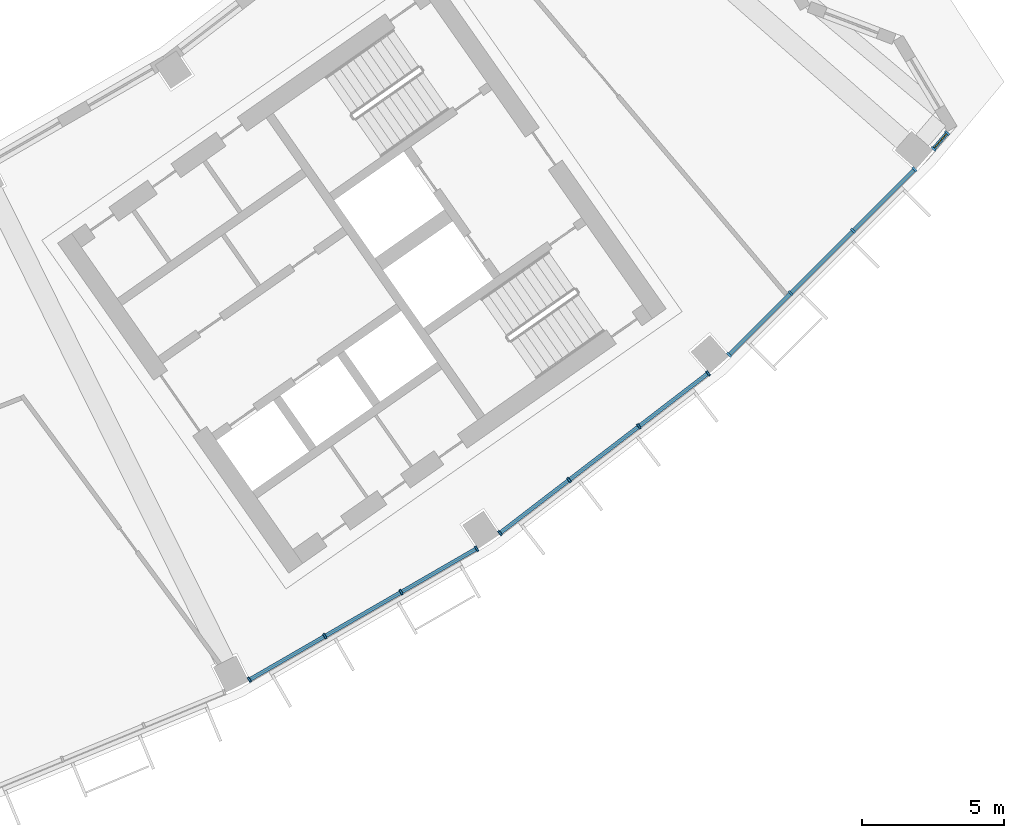
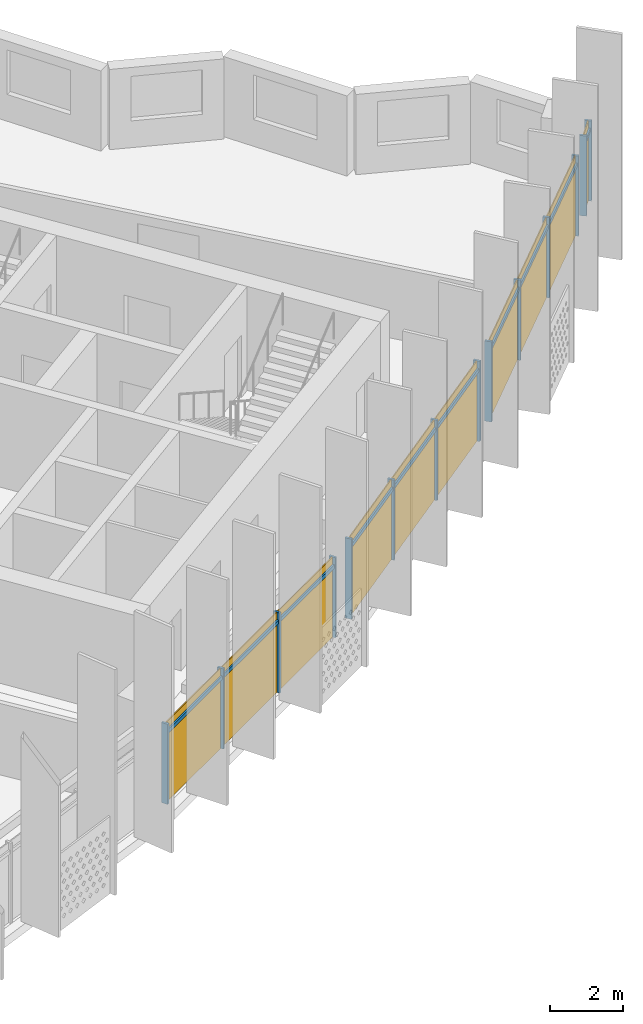
# One storey, part 20 of 29: 24 members, 4 curtain walls.
"""IFC4 building model written with IfcOpenShell, lengths in metres."""

from ifc_helpers import new_model, si_unit, direction, frame, origin, origin_2d, place, context, subcontext, project, spatial, rectangle, extrude, material, material_profile, profile_set, type_object, element, aggregate, save


model = new_model("IFC4")

# Units and contexts
model_context = context("Model", 3, precision=1e-05, world=origin(), true_north=direction((0.0, 1.0)))
body_context = subcontext(model_context, "Body", "Model", "MODEL_VIEW")
ifc_project = project(units=[si_unit("LENGTHUNIT", "METRE"), si_unit("AREAUNIT", "SQUARE_METRE"), si_unit("VOLUMEUNIT", "CUBIC_METRE"), si_unit("PLANEANGLEUNIT", "RADIAN"), si_unit("MASSUNIT", "GRAM", prefix="KILO")], contexts=[model_context])

# Member
ifc_material = material(Name="Aluminium 6063-T6 anodised", Category="aluminium")
ifc_material_profile_1 = material_profile(ifc_material, rectangle(XDim=0.199951171875, YDim=0.070068359375, at=origin_2d()))
ifc_profile_set_1 = profile_set([ifc_material_profile_1], Name="Aluminium 6063-T6 anodised")
member_type_1 = type_object("IfcMemberType", Name="Mullion 70 x 200 aluminium", PredefinedType="MULLION", material=ifc_profile_set_1)
site_placement = place(None, origin())
building_placement = place(site_placement, origin())
storey_placement = place(building_placement, frame((0.0, 0.0, 258.10009765625)))
member_1_placement = place(storey_placement, frame((35.036376953125, -69.933349609375, 0.0), z_axis=(0.0, 0.0, 1.0), x_axis=(-0.5, 0.866025403784, 0.0)))
member_1 = element("IfcMember", 1, at=member_1_placement, type_object=member_type_1, Name="e-cw1-L62-out11/M00", PredefinedType="MULLION", context=body_context, shape_type="SweptSolid", body=[
    extrude(rectangle(XDim=0.199951171875, YDim=0.070068359375, at=origin_2d()), origin(), (0.0, 0.0, 1.0), 2.699951171875),
])

member_2_placement = place(storey_placement, frame((37.696044921875, -68.397705078125, 0.0), z_axis=(0.0, 0.0, 1.0), x_axis=(-0.5, 0.866025403784, 0.0)))
member_2 = element("IfcMember", 2, at=member_2_placement, type_object=member_type_1, Name="e-cw1-L62-out11/M01", PredefinedType="MULLION", context=body_context, shape_type="SweptSolid", body=[
    extrude(rectangle(XDim=0.199951171875, YDim=0.070068359375, at=origin_2d()), origin(), (0.0, 0.0, 1.0), 2.699951171875),
])

member_3_placement = place(storey_placement, frame((40.38623046875, -66.8447265625, 0.0), z_axis=(0.0, 0.0, 1.0), x_axis=(-0.5, 0.866025403784, 0.0)))
member_3 = element("IfcMember", 3, at=member_3_placement, type_object=member_type_1, Name="e-cw1-L62-out11/M02", PredefinedType="MULLION", context=body_context, shape_type="SweptSolid", body=[
    extrude(rectangle(XDim=0.199951171875, YDim=0.070068359375, at=origin_2d()), origin(), (0.0, 0.0, 1.0), 2.699951171875),
])

member_4_placement = place(storey_placement, frame((43.0458984375, -65.30908203125, 0.0), z_axis=(0.0, 0.0, 1.0), x_axis=(-0.5, 0.866025403784, 0.0)))
member_4 = element("IfcMember", 4, at=member_4_placement, type_object=member_type_1, Name="e-cw1-L62-out11/M03", PredefinedType="MULLION", context=body_context, shape_type="SweptSolid", body=[
    extrude(rectangle(XDim=0.199951171875, YDim=0.070068359375, at=origin_2d()), origin(), (0.0, 0.0, 1.0), 2.699951171875),
])

member_5_placement = place(storey_placement, frame((43.86474609375, -64.761962890625, 0.0), z_axis=(0.0, 0.0, 1.0), x_axis=(-0.608761429009, 0.793353340291, 0.0)))
member_5 = element("IfcMember", 5, at=member_5_placement, type_object=member_type_1, Name="e-cw1-L62-out12/M00", PredefinedType="MULLION", context=body_context, shape_type="SweptSolid", body=[
    extrude(rectangle(XDim=0.199951171875, YDim=0.070068359375, at=origin_2d()), origin(), (0.0, 0.0, 1.0), 2.699951171875),
])

member_6_placement = place(storey_placement, frame((46.30126953125, -62.892333984375, 0.0), z_axis=(0.0, 0.0, 1.0), x_axis=(-0.608761429009, 0.793353340291, 0.0)))
member_6 = element("IfcMember", 6, at=member_6_placement, type_object=member_type_1, Name="e-cw1-L62-out12/M01", PredefinedType="MULLION", context=body_context, shape_type="SweptSolid", body=[
    extrude(rectangle(XDim=0.199951171875, YDim=0.070068359375, at=origin_2d()), origin(), (0.0, 0.0, 1.0), 2.699951171875),
])

member_7_placement = place(storey_placement, frame((48.765625, -61.001220703125, 0.0), z_axis=(0.0, 0.0, 1.0), x_axis=(-0.608761429009, 0.793353340291, 0.0)))
member_7 = element("IfcMember", 7, at=member_7_placement, type_object=member_type_1, Name="e-cw1-L62-out12/M02", PredefinedType="MULLION", context=body_context, shape_type="SweptSolid", body=[
    extrude(rectangle(XDim=0.199951171875, YDim=0.070068359375, at=origin_2d()), origin(), (0.0, 0.0, 1.0), 2.699951171875),
])

member_8_placement = place(storey_placement, frame((51.2021484375, -59.131591796875, 0.0), z_axis=(0.0, 0.0, 1.0), x_axis=(-0.608761429009, 0.793353340291, 0.0)))
member_8 = element("IfcMember", 8, at=member_8_placement, type_object=member_type_1, Name="e-cw1-L62-out12/M03", PredefinedType="MULLION", context=body_context, shape_type="SweptSolid", body=[
    extrude(rectangle(XDim=0.199951171875, YDim=0.070068359375, at=origin_2d()), origin(), (0.0, 0.0, 1.0), 2.699951171875),
])

member_9_placement = place(storey_placement, frame((51.942626953125, -58.482421875, 0.0), z_axis=(0.0, 0.0, 1.0), x_axis=(-0.707106781187, 0.707106781187, 0.0)))
member_9 = element("IfcMember", 9, at=member_9_placement, type_object=member_type_1, Name="e-cw1-L62-out13/M00", PredefinedType="MULLION", context=body_context, shape_type="SweptSolid", body=[
    extrude(rectangle(XDim=0.199951171875, YDim=0.070068359375, at=origin_2d()), origin(), (0.0, 0.0, 1.0), 2.699951171875),
])

member_10_placement = place(storey_placement, frame((54.1142578125, -56.310791015625, 0.0), z_axis=(0.0, 0.0, 1.0), x_axis=(-0.707106781187, 0.707106781187, 0.0)))
member_10 = element("IfcMember", 10, at=member_10_placement, type_object=member_type_1, Name="e-cw1-L62-out13/M01", PredefinedType="MULLION", context=body_context, shape_type="SweptSolid", body=[
    extrude(rectangle(XDim=0.199951171875, YDim=0.070068359375, at=origin_2d()), origin(), (0.0, 0.0, 1.0), 2.699951171875),
])

member_11_placement = place(storey_placement, frame((56.310791015625, -54.1142578125, 0.0), z_axis=(0.0, 0.0, 1.0), x_axis=(-0.707106781187, 0.707106781187, 0.0)))
member_11 = element("IfcMember", 11, at=member_11_placement, type_object=member_type_1, Name="e-cw1-L62-out13/M02", PredefinedType="MULLION", context=body_context, shape_type="SweptSolid", body=[
    extrude(rectangle(XDim=0.199951171875, YDim=0.070068359375, at=origin_2d()), origin(), (0.0, 0.0, 1.0), 2.699951171875),
])

member_12_placement = place(storey_placement, frame((58.482421875, -51.942626953125, 0.0), z_axis=(0.0, 0.0, 1.0), x_axis=(-0.707106781187, 0.707106781187, 0.0)))
member_12 = element("IfcMember", 12, at=member_12_placement, type_object=member_type_1, Name="e-cw1-L62-out13/M03", PredefinedType="MULLION", context=body_context, shape_type="SweptSolid", body=[
    extrude(rectangle(XDim=0.199951171875, YDim=0.070068359375, at=origin_2d()), origin(), (0.0, 0.0, 1.0), 2.699951171875),
])

member_13_placement = place(storey_placement, frame((59.14990234375, -51.222900390625, 0.0), z_axis=(0.0, 0.0, 1.0), x_axis=(-0.758703110659, 0.651436558597, 0.0)))
member_13 = element("IfcMember", 13, at=member_13_placement, type_object=member_type_1, Name="e-cw1-L62-out14/M00", PredefinedType="MULLION", context=body_context, shape_type="SweptSolid", body=[
    extrude(rectangle(XDim=0.199951171875, YDim=0.070068359375, at=origin_2d()), origin(), (0.0, 0.0, 1.0), 2.699951171875),
])

member_14_placement = place(storey_placement, frame((59.62939453125, -50.66455078125, 0.0), z_axis=(0.0, 0.0, 1.0), x_axis=(-0.758703110659, 0.651436558597, 0.0)))
member_14 = element("IfcMember", 14, at=member_14_placement, type_object=member_type_1, Name="e-cw1-L62-out14/M01", PredefinedType="MULLION", context=body_context, shape_type="SweptSolid", body=[
    extrude(rectangle(XDim=0.199951171875, YDim=0.070068359375, at=origin_2d()), origin(), (0.0, 0.0, 1.0), 2.699951171875),
])

ifc_material_profile_2 = material_profile(ifc_material, rectangle(XDim=0.139892578125, YDim=0.1201171875, at=origin_2d()))
ifc_profile_set_2 = profile_set([ifc_material_profile_2], Name="Aluminium 6063-T6 anodised")
member_type_2 = type_object("IfcMemberType", Name="Transom 120 x 140 aluminium", PredefinedType="USERDEFINED", material=ifc_profile_set_2)
member_15_placement = place(storey_placement, frame((35.066650390625, -69.915771484375, 2.39990234375), z_axis=(0.866041993159, 0.49997126526, 0.0), x_axis=(-0.49997126526, 0.866041993159, 0.0)))
member_15 = element("IfcMember", 15, at=member_15_placement, type_object=member_type_2, Name="e-cw1-L62-out11/T00", ObjectType="TRANSOM", PredefinedType="USERDEFINED", context=body_context, shape_type="SweptSolid", body=[
    extrude(rectangle(XDim=0.139892578125, YDim=0.1201171875, at=origin_2d()), origin(), (0.0, 0.0, 1.0), 3.001220703125),
])

member_16_placement = place(storey_placement, frame((37.726318359375, -68.38037109375, 2.39990234375), z_axis=(0.866012861315, 0.500021723565, 0.0), x_axis=(-0.500021723565, 0.866012861315, 0.0)))
member_16 = element("IfcMember", 16, at=member_16_placement, type_object=member_type_2, Name="e-cw1-L62-out11/T01", ObjectType="TRANSOM", PredefinedType="USERDEFINED", context=body_context, shape_type="SweptSolid", body=[
    extrude(rectangle(XDim=0.139892578125, YDim=0.1201171875, at=origin_2d()), origin(), (0.0, 0.0, 1.0), 3.036376953125),
])

member_17_placement = place(storey_placement, frame((40.41650390625, -66.8271484375, 2.39990234375), z_axis=(0.866041993159, 0.49997126526, 0.0), x_axis=(-0.49997126526, 0.866041993159, 0.0)))
member_17 = element("IfcMember", 17, at=member_17_placement, type_object=member_type_2, Name="e-cw1-L62-out11/T02", ObjectType="TRANSOM", PredefinedType="USERDEFINED", context=body_context, shape_type="SweptSolid", body=[
    extrude(rectangle(XDim=0.139892578125, YDim=0.1201171875, at=origin_2d()), origin(), (0.0, 0.0, 1.0), 3.001220703125),
])

member_18_placement = place(storey_placement, frame((43.892578125, -64.74072265625, 2.39990234375), z_axis=(0.793312980955, 0.60881402271, 0.0), x_axis=(-0.60881402271, 0.793312980955, 0.0)))
member_18 = element("IfcMember", 18, at=member_18_placement, type_object=member_type_2, Name="e-cw1-L62-out12/T00", ObjectType="TRANSOM", PredefinedType="USERDEFINED", context=body_context, shape_type="SweptSolid", body=[
    extrude(rectangle(XDim=0.139892578125, YDim=0.1201171875, at=origin_2d()), origin(), (0.0, 0.0, 1.0), 3.001220703125),
])

member_19_placement = place(storey_placement, frame((46.3291015625, -62.87109375, 2.39990234375), z_axis=(0.79333190513, 0.608789362836, 0.0), x_axis=(-0.608789362836, 0.79333190513, 0.0)))
member_19 = element("IfcMember", 19, at=member_19_placement, type_object=member_type_2, Name="e-cw1-L62-out12/T01", ObjectType="TRANSOM", PredefinedType="USERDEFINED", context=body_context, shape_type="SweptSolid", body=[
    extrude(rectangle(XDim=0.139892578125, YDim=0.1201171875, at=origin_2d()), origin(), (0.0, 0.0, 1.0), 3.0361328125),
])

member_20_placement = place(storey_placement, frame((48.79345703125, -60.97998046875, 2.39990234375), z_axis=(0.793352271072, 0.60876282244, 0.0), x_axis=(-0.60876282244, 0.793352271072, 0.0)))
member_20 = element("IfcMember", 20, at=member_20_placement, type_object=member_type_2, Name="e-cw1-L62-out12/T02", ObjectType="TRANSOM", PredefinedType="USERDEFINED", context=body_context, shape_type="SweptSolid", body=[
    extrude(rectangle(XDim=0.139892578125, YDim=0.1201171875, at=origin_2d()), origin(), (0.0, 0.0, 1.0), 3.0009765625),
])

member_21_placement = place(storey_placement, frame((51.96728515625, -58.45751953125, 2.39990234375), z_axis=(0.707147453401, 0.707066106633, 0.0), x_axis=(-0.707066106633, 0.707147453401, 0.0)))
member_21 = element("IfcMember", 21, at=member_21_placement, type_object=member_type_2, Name="e-cw1-L62-out13/T00", ObjectType="TRANSOM", PredefinedType="USERDEFINED", context=body_context, shape_type="SweptSolid", body=[
    extrude(rectangle(XDim=0.139892578125, YDim=0.1201171875, at=origin_2d()), origin(), (0.0, 0.0, 1.0), 3.001220703125),
])

member_22_placement = place(storey_placement, frame((54.138916015625, -56.285888671875, 2.39990234375), z_axis=(0.707106781187, 0.707106781187, 0.0), x_axis=(-0.707106781187, 0.707106781187, 0.0)))
member_22 = element("IfcMember", 22, at=member_22_placement, type_object=member_type_2, Name="e-cw1-L62-out13/T01", ObjectType="TRANSOM", PredefinedType="USERDEFINED", context=body_context, shape_type="SweptSolid", body=[
    extrude(rectangle(XDim=0.139892578125, YDim=0.1201171875, at=origin_2d()), origin(), (0.0, 0.0, 1.0), 3.036376953125),
])

member_23_placement = place(storey_placement, frame((56.33544921875, -54.089599609375, 2.39990234375), z_axis=(0.707066106633, 0.707147453401, 0.0), x_axis=(-0.707147453401, 0.707066106633, 0.0)))
member_23 = element("IfcMember", 23, at=member_23_placement, type_object=member_type_2, Name="e-cw1-L62-out13/T02", ObjectType="TRANSOM", PredefinedType="USERDEFINED", context=body_context, shape_type="SweptSolid", body=[
    extrude(rectangle(XDim=0.139892578125, YDim=0.1201171875, at=origin_2d()), origin(), (0.0, 0.0, 1.0), 3.001220703125),
])

member_24_placement = place(storey_placement, frame((59.1728515625, -51.1962890625, 2.39990234375), z_axis=(0.651364735456, 0.758764773434, 0.0), x_axis=(-0.758764773434, 0.651364735456, 0.0)))
member_24 = element("IfcMember", 24, at=member_24_placement, type_object=member_type_2, Name="e-cw1-L62-out14/T00", ObjectType="TRANSOM", PredefinedType="USERDEFINED", context=body_context, shape_type="SweptSolid", body=[
    extrude(rectangle(XDim=0.139892578125, YDim=0.1201171875, at=origin_2d()), origin(), (0.0, 0.0, 1.0), 0.666015625),
])

# Site, building, storey
site = spatial("IfcSite", under=ifc_project, at=site_placement, CompositionType="ELEMENT")
building = spatial("IfcBuilding", under=site, at=building_placement, Name="Qamariyya Broadcast Tower", CompositionType="ELEMENT")
storey = spatial("IfcBuildingStorey", under=building, at=storey_placement, Name="L62", CompositionType="ELEMENT", Elevation=258.10009765625)

# Curtain wall
curtain_wall_type = type_object("IfcCurtainWallType", Name="Unitised curtain wall, anodised aluminium", PredefinedType="NOTDEFINED", material=ifc_material)
curtain_wall_1_placement = place(storey_placement, origin())
curtain_wall_1 = element("IfcCurtainWall", 25, at=curtain_wall_1_placement, inside=storey, type_object=curtain_wall_type, Name="e-cw1-L62-out11", PredefinedType="NOTDEFINED", context=body_context, shape_type="SweptSolid", body=[
    extrude(rectangle(XDim=3.001220703125, YDim=0.031982421875, at=origin_2d()), frame((36.3662109375, -69.16552734375, 0.0), x_axis=(0.866017611601, 0.500013496215, 0.0)), (0.0, 0.0, 1.0), 2.340087890625),
    extrude(rectangle(XDim=3.001220703125, YDim=0.031982421875, at=origin_2d()), frame((36.3662109375, -69.16552734375, 2.4599609375), x_axis=(0.866017611601, 0.500013496215, 0.0)), (0.0, 0.0, 1.0), 0.239990234375),
    extrude(rectangle(XDim=3.0361328125, YDim=0.031982421875, at=origin_2d()), frame((39.041015625, -67.62109375, 0.0), x_axis=(0.866017611601, 0.500013496215, 0.0)), (0.0, 0.0, 1.0), 2.340087890625),
    extrude(rectangle(XDim=3.0361328125, YDim=0.031982421875, at=origin_2d()), frame((39.041015625, -67.62109375, 2.4599609375), x_axis=(0.866017611601, 0.500013496215, 0.0)), (0.0, 0.0, 1.0), 0.239990234375),
    extrude(rectangle(XDim=3.001220703125, YDim=0.031982421875, at=origin_2d()), frame((41.716064453125, -66.076904296875, 0.0), x_axis=(0.866017611601, 0.500013496215, 0.0)), (0.0, 0.0, 1.0), 2.340087890625),
    extrude(rectangle(XDim=3.001220703125, YDim=0.031982421875, at=origin_2d()), frame((41.716064453125, -66.076904296875, 2.4599609375), x_axis=(0.866017611601, 0.500013496215, 0.0)), (0.0, 0.0, 1.0), 0.239990234375),
])

aggregate(curtain_wall_1, [member_1, member_2, member_3, member_4, member_15, member_16, member_17])

curtain_wall_2_placement = place(storey_placement, origin())
curtain_wall_2 = element("IfcCurtainWall", 26, at=curtain_wall_2_placement, inside=storey, type_object=curtain_wall_type, Name="e-cw1-L62-out12", PredefinedType="NOTDEFINED", context=body_context, shape_type="SweptSolid", body=[
    extrude(rectangle(XDim=3.001220703125, YDim=0.031982421875, at=origin_2d()), frame((45.0830078125, -63.8271484375, 0.0), x_axis=(0.793355818396, 0.608758199466, 0.0)), (0.0, 0.0, 1.0), 2.340087890625),
    extrude(rectangle(XDim=3.001220703125, YDim=0.031982421875, at=origin_2d()), frame((45.0830078125, -63.8271484375, 2.4599609375), x_axis=(0.793355818396, 0.608758199466, 0.0)), (0.0, 0.0, 1.0), 0.239990234375),
    extrude(rectangle(XDim=3.0361328125, YDim=0.031982421875, at=origin_2d()), frame((47.533447265625, -61.94677734375, 0.0), x_axis=(0.793355818396, 0.608758199466, 0.0)), (0.0, 0.0, 1.0), 2.340087890625),
    extrude(rectangle(XDim=3.0361328125, YDim=0.031982421875, at=origin_2d()), frame((47.533447265625, -61.94677734375, 2.4599609375), x_axis=(0.793355818396, 0.608758199466, 0.0)), (0.0, 0.0, 1.0), 0.239990234375),
    extrude(rectangle(XDim=3.001220703125, YDim=0.031982421875, at=origin_2d()), frame((49.98388671875, -60.06640625, 0.0), x_axis=(0.793355818396, 0.608758199466, 0.0)), (0.0, 0.0, 1.0), 2.340087890625),
    extrude(rectangle(XDim=3.001220703125, YDim=0.031982421875, at=origin_2d()), frame((49.98388671875, -60.06640625, 2.4599609375), x_axis=(0.793355818396, 0.608758199466, 0.0)), (0.0, 0.0, 1.0), 0.239990234375),
])

aggregate(curtain_wall_2, [member_5, member_6, member_7, member_8, member_18, member_19, member_20])

curtain_wall_3_placement = place(storey_placement, origin())
curtain_wall_3 = element("IfcCurtainWall", 27, at=curtain_wall_3_placement, inside=storey, type_object=curtain_wall_type, Name="e-cw1-L62-out13", PredefinedType="NOTDEFINED", context=body_context, shape_type="SweptSolid", body=[
    extrude(rectangle(XDim=3.001220703125, YDim=0.031982421875, at=origin_2d()), frame((53.0283203125, -57.396484375, 0.0), x_axis=(0.707106781187, 0.707106781187, 0.0)), (0.0, 0.0, 1.0), 2.340087890625),
    extrude(rectangle(XDim=3.001220703125, YDim=0.031982421875, at=origin_2d()), frame((53.0283203125, -57.396484375, 2.4599609375), x_axis=(0.707106781187, 0.707106781187, 0.0)), (0.0, 0.0, 1.0), 0.239990234375),
    extrude(rectangle(XDim=3.0361328125, YDim=0.031982421875, at=origin_2d()), frame((55.21240234375, -55.21240234375, 0.0), x_axis=(0.707106781187, 0.707106781187, 0.0)), (0.0, 0.0, 1.0), 2.340087890625),
    extrude(rectangle(XDim=3.0361328125, YDim=0.031982421875, at=origin_2d()), frame((55.21240234375, -55.21240234375, 2.4599609375), x_axis=(0.707106781187, 0.707106781187, 0.0)), (0.0, 0.0, 1.0), 0.239990234375),
    extrude(rectangle(XDim=3.001220703125, YDim=0.031982421875, at=origin_2d()), frame((57.396484375, -53.0283203125, 0.0), x_axis=(0.707106781187, 0.707106781187, 0.0)), (0.0, 0.0, 1.0), 2.340087890625),
    extrude(rectangle(XDim=3.001220703125, YDim=0.031982421875, at=origin_2d()), frame((57.396484375, -53.0283203125, 2.4599609375), x_axis=(0.707106781187, 0.707106781187, 0.0)), (0.0, 0.0, 1.0), 0.239990234375),
])

aggregate(curtain_wall_3, [member_9, member_10, member_11, member_12, member_21, member_22, member_23])

curtain_wall_4_placement = place(storey_placement, origin())
curtain_wall_4 = element("IfcCurtainWall", 28, at=curtain_wall_4_placement, inside=storey, type_object=curtain_wall_type, Name="e-cw1-L62-out14", PredefinedType="NOTDEFINED", context=body_context, shape_type="SweptSolid", body=[
    extrude(rectangle(XDim=0.666015625, YDim=0.031982421875, at=origin_2d()), frame((59.3896484375, -50.94384765625, 0.0), x_axis=(0.651290169322, 0.758828778675, 0.0)), (0.0, 0.0, 1.0), 2.340087890625),
    extrude(rectangle(XDim=0.666015625, YDim=0.031982421875, at=origin_2d()), frame((59.3896484375, -50.94384765625, 2.4599609375), x_axis=(0.651290169322, 0.758828778675, 0.0)), (0.0, 0.0, 1.0), 0.239990234375),
])

aggregate(curtain_wall_4, [member_13, member_14, member_24])

save(model, "model.ifc")
